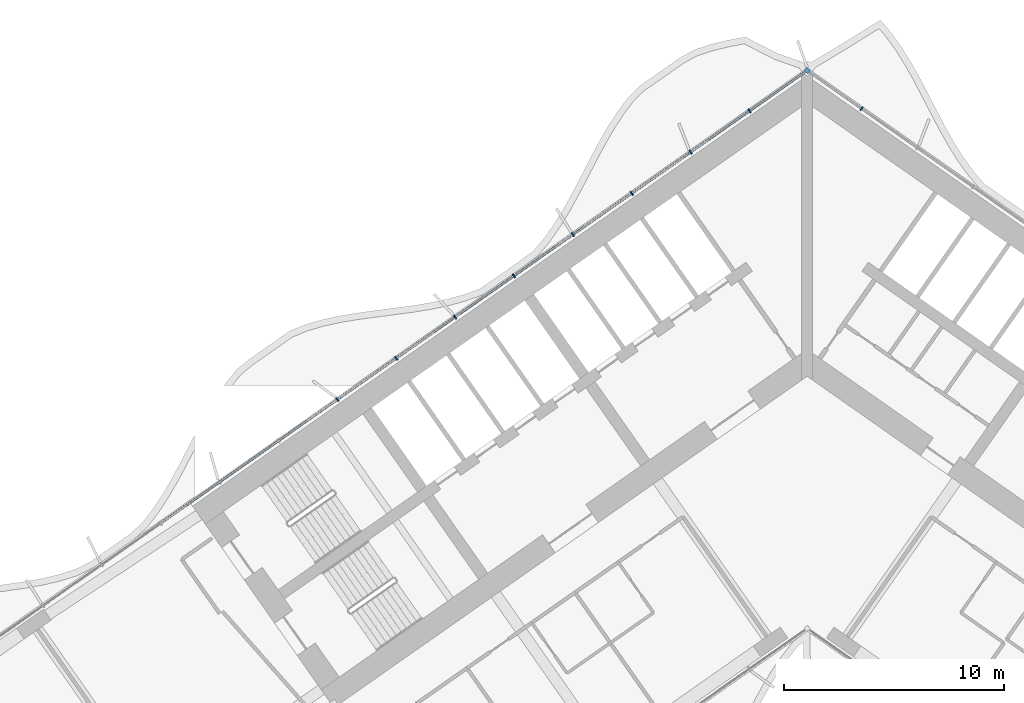
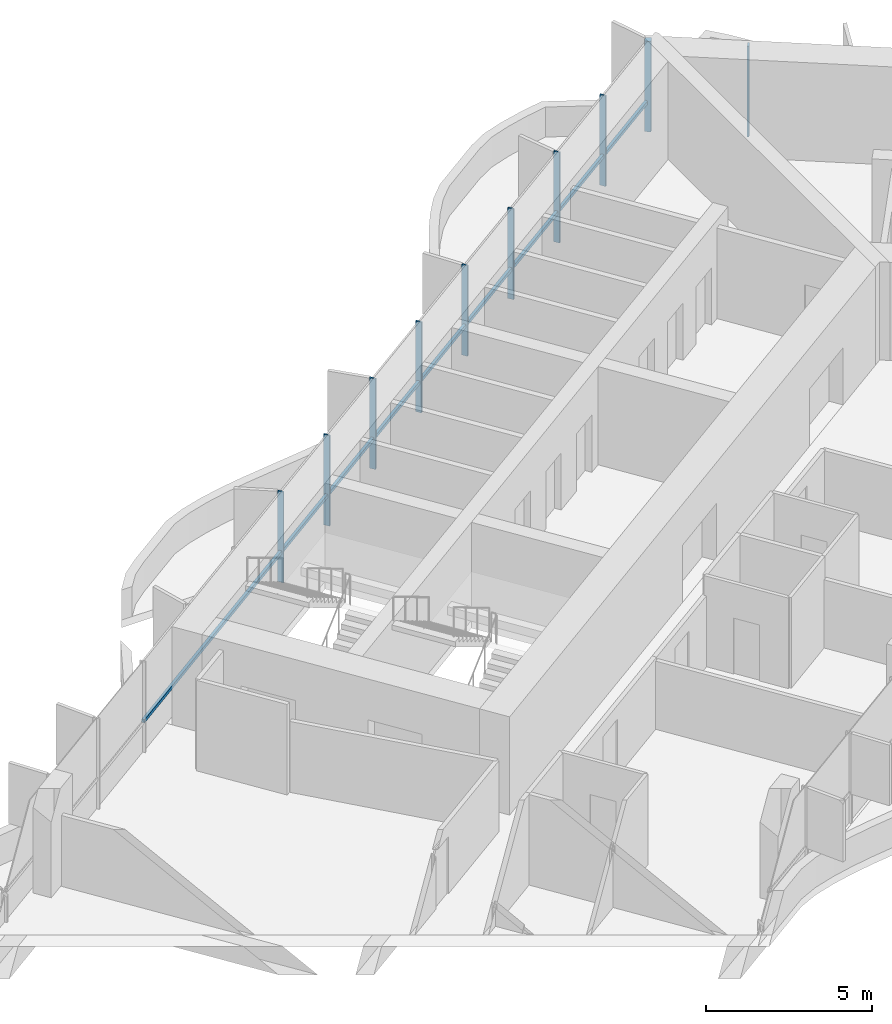
# One storey, part 7 of 23: 11 members, 1 element without a shape of its own.
"""IFC4 building model written with IfcOpenShell, lengths in metres."""

from ifc_helpers import new_model, si_unit, direction, frame, origin, origin_2d, place, context, subcontext, project, spatial, rectangle, extrude, material, material_profile, profile_set, type_object, element, aggregate, save


model = new_model("IFC4")

# Units and contexts
model_context = context("Model", 3, precision=1e-05, world=origin(), true_north=direction((0.0, 1.0)))
body_context = subcontext(model_context, "Body", "Model", "MODEL_VIEW")
ifc_project = project(units=[si_unit("LENGTHUNIT", "METRE"), si_unit("AREAUNIT", "SQUARE_METRE"), si_unit("VOLUMEUNIT", "CUBIC_METRE"), si_unit("PLANEANGLEUNIT", "RADIAN"), si_unit("MASSUNIT", "GRAM", prefix="KILO")], contexts=[model_context])

# Site, building, storey
site_placement = place(None, origin())
site = spatial("IfcSite", under=ifc_project, at=site_placement, CompositionType="ELEMENT")
building_placement = place(site_placement, origin())
building = spatial("IfcBuilding", under=site, at=building_placement, Name="Tel Ilan Convention Tower", CompositionType="ELEMENT")
storey_placement = place(building_placement, frame((0.0, 0.0, 94.10009765625)))
storey = spatial("IfcBuildingStorey", under=building, at=storey_placement, Name="L19", CompositionType="ELEMENT", Elevation=94.10009765625)

# Curtain wall, members
ifc_material_1 = material(Name="Aluminium, bronze anodised", Category="aluminium")
curtain_wall_type = type_object("IfcCurtainWallType", Name="CW2 STICK CURTAIN WALL, SPANDREL PANELS", PredefinedType="NOTDEFINED", material=ifc_material_1)
curtain_wall_placement = place(storey_placement, origin())
curtain_wall = element("IfcCurtainWall", 1, at=curtain_wall_placement, inside=storey, type_object=curtain_wall_type, Name="Curtain wall CW2-17.01", PredefinedType="NOTDEFINED")
ifc_material_2 = material(Name="Aluminium, bronze anodised", Category="aluminium")
ifc_material_profile_1 = material_profile(ifc_material_2, rectangle(XDim=0.199951171875, YDim=0.199951171875, at=origin_2d()), Name="CW CORNER MULLION 200x200")
ifc_profile_set_1 = profile_set([ifc_material_profile_1], Name="Aluminium, bronze anodised")
member_type_1 = type_object("IfcMemberType", Name="CW CORNER MULLION 200x200", PredefinedType="MULLION", material=ifc_profile_set_1)
member_1_placement = place(storey_placement, frame((0.0, 12.696044921875, 0.0), z_axis=(0.0, 0.0, 1.0), x_axis=(-0.819152044289, 0.573576436351, 0.0)))
member_1 = element("IfcMember", 2, at=member_1_placement, type_object=member_type_1, Name="Corner mullion", PredefinedType="MULLION", context=body_context, shape_type="SweptSolid", body=[
    extrude(rectangle(XDim=0.199951171875, YDim=0.199951171875, at=origin_2d()), origin(), (0.0, 0.0, 1.0), 3.31982421875),
])
ifc_material_3 = material(Name="Aluminium, bronze anodised", Category="aluminium")
ifc_material_profile_2 = material_profile(ifc_material_3, rectangle(XDim=0.06005859375, YDim=0.199951171875, at=origin_2d()), Name="CW MULLION 60x200")
ifc_profile_set_2 = profile_set([ifc_material_profile_2], Name="Aluminium, bronze anodised")
member_type_2 = type_object("IfcMemberType", Name="CW MULLION 60x200", PredefinedType="MULLION", material=ifc_profile_set_2)
member_2_placement = place(storey_placement, frame((2.4794921875, 10.9599609375, 0.0), z_axis=(0.0, 0.0, 1.0), x_axis=(-0.819152044289, 0.573576436351, 0.0)))
member_2 = element("IfcMember", 3, at=member_2_placement, type_object=member_type_2, Name="Mullion", PredefinedType="MULLION", context=body_context, shape_type="SweptSolid", body=[
    extrude(rectangle(XDim=0.06005859375, YDim=0.199951171875, at=origin_2d()), origin(), (0.0, 0.0, 1.0), 3.31982421875),
])
member_3_placement = place(storey_placement, frame((-2.622802734375, 10.859375, 0.0), z_axis=(0.0, 0.0, 1.0), x_axis=(-0.819152044289, -0.573576436351, 0.0)))
member_3 = element("IfcMember", 4, at=member_3_placement, type_object=member_type_2, Name="Mullion", PredefinedType="MULLION", context=body_context, shape_type="SweptSolid", body=[
    extrude(rectangle(XDim=0.06005859375, YDim=0.199951171875, at=origin_2d()), origin(), (0.0, 0.0, 1.0), 3.31982421875),
])
member_4_placement = place(storey_placement, frame((-5.30322265625, 8.982666015625, 0.0), z_axis=(0.0, 0.0, 1.0), x_axis=(-0.819152044289, -0.573576436351, 0.0)))
member_4 = element("IfcMember", 5, at=member_4_placement, type_object=member_type_2, Name="Mullion", PredefinedType="MULLION", context=body_context, shape_type="SweptSolid", body=[
    extrude(rectangle(XDim=0.06005859375, YDim=0.199951171875, at=origin_2d()), origin(), (0.0, 0.0, 1.0), 3.31982421875),
])
member_5_placement = place(storey_placement, frame((-7.9833984375, 7.10595703125, 0.0), z_axis=(0.0, 0.0, 1.0), x_axis=(-0.819152044289, -0.573576436351, 0.0)))
member_5 = element("IfcMember", 6, at=member_5_placement, type_object=member_type_2, Name="Mullion", PredefinedType="MULLION", context=body_context, shape_type="SweptSolid", body=[
    extrude(rectangle(XDim=0.06005859375, YDim=0.199951171875, at=origin_2d()), origin(), (0.0, 0.0, 1.0), 3.31982421875),
])
member_6_placement = place(storey_placement, frame((-10.663818359375, 5.229248046875, 0.0), z_axis=(0.0, 0.0, 1.0), x_axis=(-0.819152044289, -0.573576436351, 0.0)))
member_6 = element("IfcMember", 7, at=member_6_placement, type_object=member_type_2, Name="Mullion", PredefinedType="MULLION", context=body_context, shape_type="SweptSolid", body=[
    extrude(rectangle(XDim=0.06005859375, YDim=0.199951171875, at=origin_2d()), origin(), (0.0, 0.0, 1.0), 3.31982421875),
])
member_7_placement = place(storey_placement, frame((-13.343994140625, 3.3525390625, 0.0), z_axis=(0.0, 0.0, 1.0), x_axis=(-0.819152044289, -0.573576436351, 0.0)))
member_7 = element("IfcMember", 8, at=member_7_placement, type_object=member_type_2, Name="Mullion", PredefinedType="MULLION", context=body_context, shape_type="SweptSolid", body=[
    extrude(rectangle(XDim=0.06005859375, YDim=0.199951171875, at=origin_2d()), origin(), (0.0, 0.0, 1.0), 3.31982421875),
])
member_8_placement = place(storey_placement, frame((-16.024169921875, 1.475830078125, 0.0), z_axis=(0.0, 0.0, 1.0), x_axis=(-0.819152044289, -0.573576436351, 0.0)))
member_8 = element("IfcMember", 9, at=member_8_placement, type_object=member_type_2, Name="Mullion", PredefinedType="MULLION", context=body_context, shape_type="SweptSolid", body=[
    extrude(rectangle(XDim=0.06005859375, YDim=0.199951171875, at=origin_2d()), origin(), (0.0, 0.0, 1.0), 3.31982421875),
])
member_9_placement = place(storey_placement, frame((-18.70458984375, -0.401123046875, 0.0), z_axis=(0.0, 0.0, 1.0), x_axis=(-0.819152044289, -0.573576436351, 0.0)))
member_9 = element("IfcMember", 10, at=member_9_placement, type_object=member_type_2, Name="Mullion", PredefinedType="MULLION", context=body_context, shape_type="SweptSolid", body=[
    extrude(rectangle(XDim=0.06005859375, YDim=0.199951171875, at=origin_2d()), origin(), (0.0, 0.0, 1.0), 3.31982421875),
])
member_10_placement = place(storey_placement, frame((-21.384765625, -2.27783203125, 0.0), z_axis=(0.0, 0.0, 1.0), x_axis=(-0.819152044289, -0.573576436351, 0.0)))
member_10 = element("IfcMember", 11, at=member_10_placement, type_object=member_type_2, Name="Mullion", PredefinedType="MULLION", context=body_context, shape_type="SweptSolid", body=[
    extrude(rectangle(XDim=0.06005859375, YDim=0.199951171875, at=origin_2d()), origin(), (0.0, 0.0, 1.0), 3.31982421875),
])
ifc_material_4 = material(Name="Aluminium, bronze anodised", Category="aluminium")
ifc_material_profile_3 = material_profile(ifc_material_4, rectangle(XDim=0.10009765625, YDim=0.1201171875, at=origin_2d()), Name="CW TRANSOM 100x120")
ifc_profile_set_3 = profile_set([ifc_material_profile_3], Name="Aluminium, bronze anodised")
member_type_3 = type_object("IfcMemberType", Name="CW TRANSOM 100x120", PredefinedType="USERDEFINED", material=ifc_profile_set_3)
member_11_placement = place(storey_placement, frame((-0.1064453125, 12.62158203125, 1.099853515625), z_axis=(-0.81915076999, -0.573578256234, 0.0), x_axis=(0.573578256234, -0.81915076999, 0.0)))
member_11 = element("IfcMember", 12, at=member_11_placement, type_object=member_type_3, Name="Transom", ObjectType="TRANSOM", PredefinedType="USERDEFINED", context=body_context, shape_type="SweptSolid", body=[
    extrude(rectangle(XDim=0.10009765625, YDim=0.1201171875, at=origin_2d()), origin(), (0.0, 0.0, 1.0), 35.76220703125),
])
aggregate(curtain_wall, [member_2, member_1, member_3, member_4, member_5, member_6, member_7, member_8, member_9, member_10, member_11])

save(model, "model.ifc")
